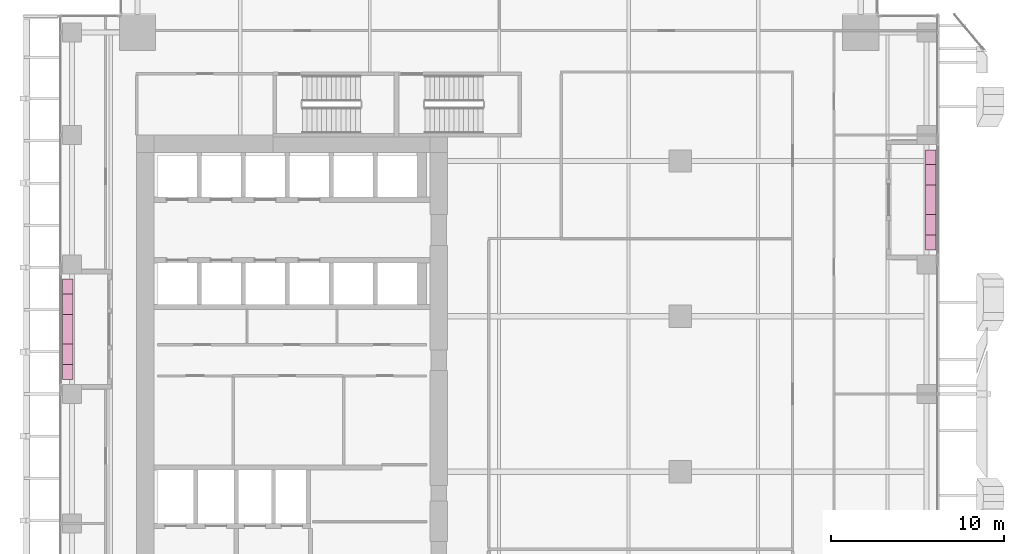
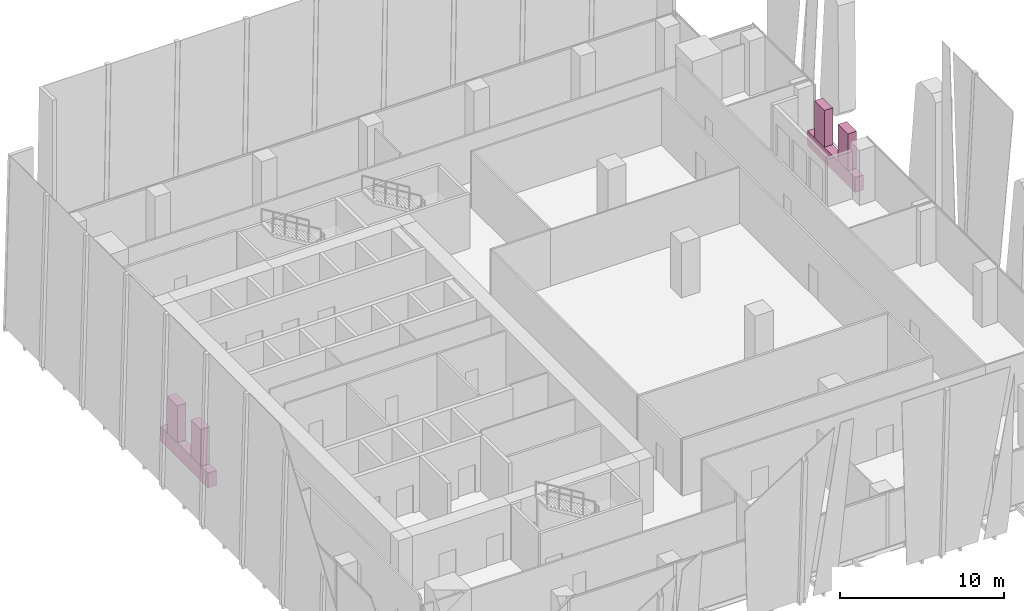
# One storey, part 35 of 35: 6 furnishings.
"""IFC4 building model written with IfcOpenShell, lengths in metres."""

from ifc_helpers import new_model, si_unit, direction, frame, origin, origin_2d, place, context, subcontext, project, spatial, rectangle, extrude, source, transform, mapped, material, type_object, element, save


model = new_model("IFC4")

# Units and contexts
model_context = context("Model", 3, precision=1e-05, world=origin(), true_north=direction((0.0, 1.0)))
body_context = subcontext(model_context, "Body", "Model", "MODEL_VIEW")
ifc_project = project(units=[si_unit("LENGTHUNIT", "METRE"), si_unit("AREAUNIT", "SQUARE_METRE"), si_unit("VOLUMEUNIT", "CUBIC_METRE"), si_unit("PLANEANGLEUNIT", "RADIAN"), si_unit("MASSUNIT", "GRAM", prefix="KILO")], contexts=[model_context])

# Site, building, storey
site_placement = place(None, origin())
site = spatial("IfcSite", under=ifc_project, at=site_placement, CompositionType="ELEMENT")
building_placement = place(site_placement, origin())
building = spatial("IfcBuilding", under=site, at=building_placement, Name="Khomas Fold Tower", CompositionType="ELEMENT")
storey_placement = place(building_placement, frame((0.0, 0.0, 127.89990234375)))
storey = spatial("IfcBuildingStorey", under=building, at=storey_placement, Name="L27", CompositionType="ELEMENT", Elevation=127.89990234375)

# Furnishings
ifc_material_1 = material(Name="Planting")
furnishing_element_type_1 = type_object("IfcFurnishingElementType", Name="BL-Tree Shepherd's tree", material=ifc_material_1)
shared_shape_1 = source(origin(), body_context, "Body", "SweptSolid", [
    extrude(rectangle(XDim=1.199951171875, YDim=0.60009765625, at=origin_2d()), origin(), (0.0, 0.0, 1.0), 2.7451171875),
])
furnishing_1_placement = place(storey_placement, frame((52.0, 36.800048828125, 1.054931640625), z_axis=(0.0, 0.0, 1.0), x_axis=(0.0, 1.0, 0.0)))
element("IfcFurnishingElement", 1, at=furnishing_1_placement, inside=storey, type_object=furnishing_element_type_1, Name="PLANTER (TREE) Shepherd's tree BAL-L27-E4-1", context=body_context, shape_type="MappedRepresentation", body=[
    mapped(shared_shape_1, transform((0.0, 0.0, 0.0))),
])
ifc_material_2 = material(Name="Planting")
furnishing_element_type_2 = type_object("IfcFurnishingElementType", Name="BL-Tree Karee", material=ifc_material_2)
furnishing_2_placement = place(storey_placement, frame((52.0, 39.699951171875, 1.054931640625), z_axis=(0.0, 0.0, 1.0), x_axis=(0.0, 1.0, 0.0)))
element("IfcFurnishingElement", 2, at=furnishing_2_placement, inside=storey, type_object=furnishing_element_type_2, Name="PLANTER (TREE) Karee BAL-L27-E4-2", context=body_context, shape_type="MappedRepresentation", body=[
    mapped(shared_shape_1, transform((0.0, 0.0, 0.0))),
])
furnishing_3_placement = place(storey_placement, frame((2.0, 29.300048828125, 1.054931640625), z_axis=(0.0, 0.0, 1.0), x_axis=(0.0, 1.0, 0.0)))
element("IfcFurnishingElement", 3, at=furnishing_3_placement, inside=storey, type_object=furnishing_element_type_1, Name="PLANTER (TREE) Shepherd's tree BAL-L27-W3-1", context=body_context, shape_type="MappedRepresentation", body=[
    mapped(shared_shape_1, transform((0.0, 0.0, 0.0))),
])
furnishing_4_placement = place(storey_placement, frame((2.0, 32.199951171875, 1.054931640625), z_axis=(0.0, 0.0, 1.0), x_axis=(0.0, 1.0, 0.0)))
element("IfcFurnishingElement", 4, at=furnishing_4_placement, inside=storey, type_object=furnishing_element_type_2, Name="PLANTER (TREE) Karee BAL-L27-W3-2", context=body_context, shape_type="MappedRepresentation", body=[
    mapped(shared_shape_1, transform((0.0, 0.0, 0.0))),
])
ifc_material_3 = material(Name="Precast concrete C40/50", Category="concrete")
furnishing_element_type_3 = type_object("IfcFurnishingElementType", Name="BL-Structural planter box", material=ifc_material_3)
shared_shape_2 = source(origin(), body_context, "Body", "SweptSolid", [
    extrude(rectangle(XDim=5.800048828125, YDim=0.60009765625, at=origin_2d()), origin(), (0.0, 0.0, 1.0), 1.10009765625),
])
for number, where, z_axis, x_axis, name in (
    (5, (52.0, 38.25, -0.044921875), (0.0, 0.0, 1.0), (0.0, 1.0, 0.0), "PLANTER BAL-L27-E4"),
    (6, (2.0, 30.75, -0.044921875), (0.0, 0.0, 1.0), (0.0, 1.0, 0.0), "PLANTER BAL-L27-W3"),
):
    element("IfcFurnishingElement", number, at=place(storey_placement, frame(where, z_axis=z_axis, x_axis=x_axis)), inside=storey, type_object=furnishing_element_type_3, Name=name, context=body_context, shape_type="MappedRepresentation", body=[
        mapped(shared_shape_2, transform((0.0, 0.0, 0.0))),
    ])

save(model, "model.ifc")
